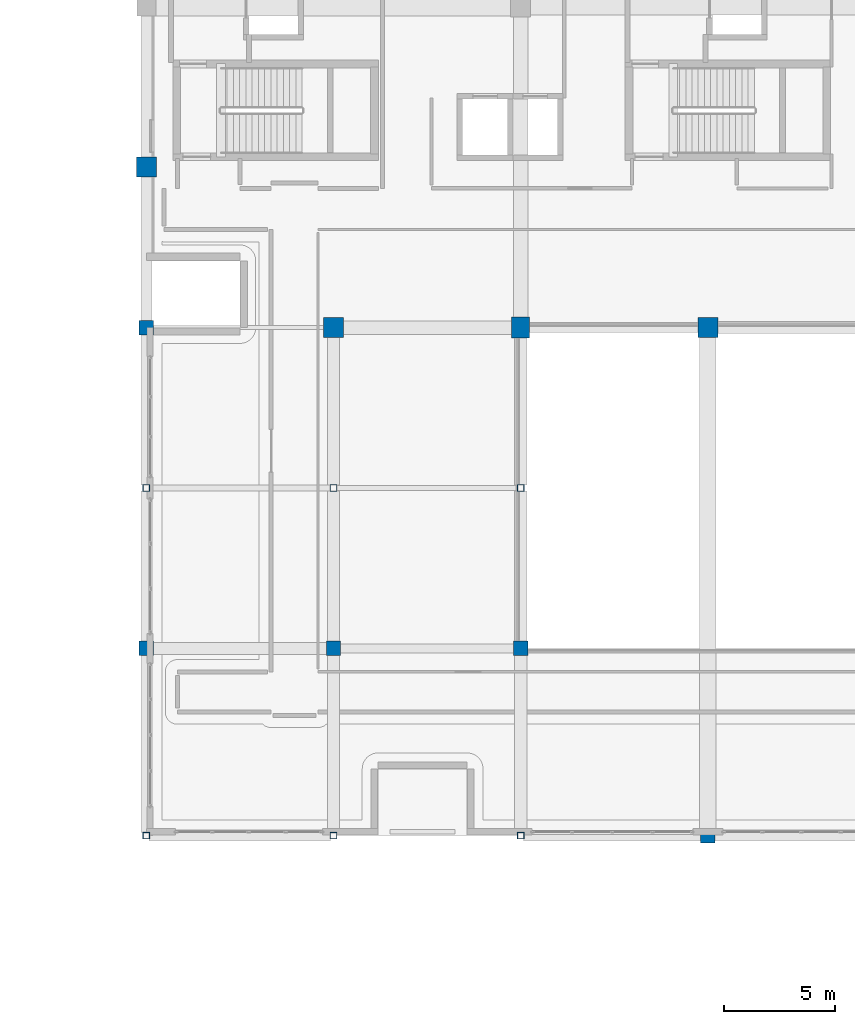
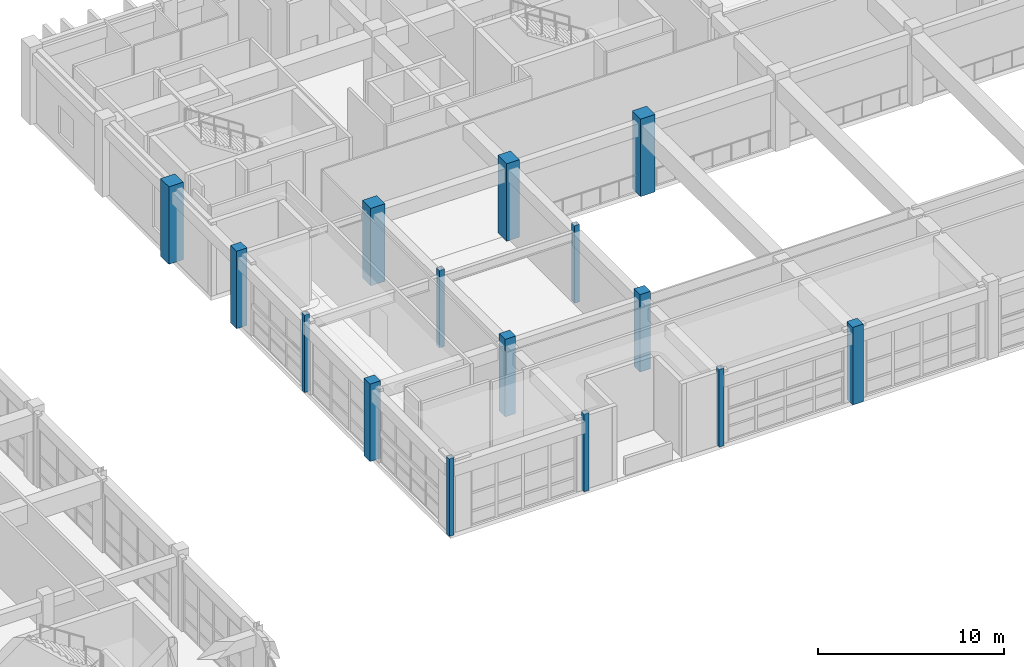
# One storey, part 6 of 78: 15 columns.
"""IFC4 building model written with IfcOpenShell, lengths in metres."""

import ifcopenshell
import ifcopenshell.guid

model = None  # the IFC model being written
_history = None  # IfcOwnerHistory: only IFC2X3 demands one
_inside = {}  # id of a spatial element -> (the spatial element, [elements in it])
_under = {}  # id of a project, library or spatial element -> (it, [spatial elements below it])
_declared = {}  # id of a project -> (the project, [libraries it declares])
_typed = {}  # id of a type object -> (the type object, [elements of that type])
_made_of = {}  # id of a material, layer set ... -> (it, [elements and type objects made of it])


def new_model(schema):
    """Start an empty IFC model of exactly this schema.

    Asked for "IFC4X3", IfcOpenShell would pick the latest addendum, in which some entities
    have other attributes; the version numbers below select the first issue.
    IFC2X3 requires an IfcOwnerHistory on every rooted entity: one is made here for all.
    """
    global model, _history
    if schema == "IFC4X3":
        model = ifcopenshell.file(schema_version=(4, 3, 0, 0))
    else:
        model = ifcopenshell.file(schema=schema)
    _inside.clear()
    _under.clear()
    _declared.clear()
    _typed.clear()
    _made_of.clear()
    _history = None
    if model.schema == "IFC2X3":
        org = make("IfcOrganization", Name="unknown")
        user = make(
            "IfcPersonAndOrganization",
            ThePerson=make("IfcPerson", FamilyName="unknown"),
            TheOrganization=org,
        )
        app = make(
            "IfcApplication",
            ApplicationDeveloper=org,
            Version="unknown",
            ApplicationFullName="unknown",
            ApplicationIdentifier="unknown",
        )
        _history = make(
            "IfcOwnerHistory",
            OwningUser=user,
            OwningApplication=app,
            ChangeAction="ADDED",
            CreationDate=0,
        )
    return model


def make(cls, **values):
    """One entity of the class cls with the attributes given. An attribute that is None is left unset."""
    return model.create_entity(
        cls, **{name: value for name, value in values.items() if value is not None}
    )


def rooted(cls, **values):
    """An entity with a GlobalId (a new one), such as an element, a storey or a relation."""
    return make(cls, GlobalId=ifcopenshell.guid.new(), OwnerHistory=_history, **values)


def si_unit(unit_type, name, prefix=None):
    """IfcSIUnit, for example si_unit("LENGTHUNIT", "METRE", prefix="MILLI")."""
    return make("IfcSIUnit", UnitType=unit_type, Prefix=prefix, Name=name)


def assignment(units):
    """IfcUnitAssignment: the units of a project."""
    return None if units is None else make("IfcUnitAssignment", Units=units)


def point(xyz):
    """IfcCartesianPoint."""
    return None if xyz is None else make("IfcCartesianPoint", Coordinates=xyz)


def direction(xyz):
    """IfcDirection."""
    return None if xyz is None else make("IfcDirection", DirectionRatios=xyz)


def frame(location, z_axis=None, x_axis=None):
    """IfcAxis2Placement3D, a coordinate frame: its origin and axes. An axis left out is left unset."""
    return make(
        "IfcAxis2Placement3D",
        Location=point(location),
        Axis=direction(z_axis),
        RefDirection=direction(x_axis),
    )


def frame_2d(location, x_axis=None):
    """IfcAxis2Placement2D, a coordinate frame in the plane: its origin and x axis."""
    return make(
        "IfcAxis2Placement2D", Location=point(location), RefDirection=direction(x_axis)
    )


def origin():
    """The frame at (0, 0, 0) with its axes left unset."""
    return frame((0.0, 0.0, 0.0))


def origin_2d():
    """The frame at (0, 0) in the plane with its x axis left unset."""
    return frame_2d((0.0, 0.0))


def place(relative_to, where):
    """IfcLocalPlacement: puts the frame where relative to a parent placement (None: the world)."""
    return make(
        "IfcLocalPlacement", PlacementRelTo=relative_to, RelativePlacement=where
    )


def context(
    kind, dimensions, precision=None, world=None, true_north=None, identifier=None
):
    """IfcGeometricRepresentationContext, for example the 3D "Model" context."""
    return make(
        "IfcGeometricRepresentationContext",
        ContextIdentifier=identifier,
        ContextType=kind,
        CoordinateSpaceDimension=dimensions,
        Precision=precision,
        WorldCoordinateSystem=world,
        TrueNorth=true_north,
    )


def subcontext(parent, identifier, kind, view, scale=None):
    """IfcGeometricRepresentationSubContext, for example "Body" below "Model"."""
    return make(
        "IfcGeometricRepresentationSubContext",
        ContextIdentifier=identifier,
        ContextType=kind,
        ParentContext=parent,
        TargetScale=scale,
        TargetView=view,
    )


def project(units=None, contexts=None):
    """IfcProject with its units and contexts."""
    return rooted(
        "IfcProject",
        Name="project",
        RepresentationContexts=contexts,
        UnitsInContext=assignment(units),
    )


def spatial(cls, under=None, at=None, **own):
    """A site, building, storey or space (cls), placed at a placement, below another one or the project."""
    s = rooted(cls, ObjectPlacement=at, **own)
    if under is not None:
        _under.setdefault(under.id(), (under, []))[1].append(s)
    return s


def profile(cls, at=None, kind="AREA", **sizes):
    """A parametric profile (cls). Its sizes go by their IFC names, for example OverallWidth=200.0."""
    return make(cls, ProfileType=kind, Position=at, **sizes)


def rectangle(**sizes):
    """IfcRectangleProfileDef."""
    return profile("IfcRectangleProfileDef", **sizes)


def hollow_rectangle(**sizes):
    """IfcRectangleHollowProfileDef."""
    return profile("IfcRectangleHollowProfileDef", **sizes)


def extrude(swept, where, along, depth):
    """IfcExtrudedAreaSolid: the profile swept, set in the frame where, extruded along a direction by depth."""
    return make(
        "IfcExtrudedAreaSolid",
        SweptArea=swept,
        Position=where,
        ExtrudedDirection=direction(along),
        Depth=depth,
    )


def shape(context_of_items, identifier, shape_type, items):
    """IfcShapeRepresentation: the items that make up one representation, for example the "Body"."""
    return make(
        "IfcShapeRepresentation",
        ContextOfItems=context_of_items,
        RepresentationIdentifier=identifier,
        RepresentationType=shape_type,
        Items=items,
    )


def material(Name=None, Category=None):
    """IfcMaterial."""
    return make("IfcMaterial", Name=Name, Category=Category)


def material_profile(
    of_material, cross_section, Name=None, Category=None, Priority=None
):
    """IfcMaterialProfile: a cross section and its material."""
    return make(
        "IfcMaterialProfile",
        Name=Name,
        Material=of_material,
        Profile=cross_section,
        Priority=Priority,
        Category=Category,
    )


def profile_set(profiles, Name=None, composite=None):
    """IfcMaterialProfileSet."""
    return make(
        "IfcMaterialProfileSet",
        Name=Name,
        MaterialProfiles=profiles,
        CompositeProfile=composite,
    )


def made_of(thing, what):
    """Note that an element or type object is made of a material, layer set ...; save() writes the relation."""
    if what is not None:
        _made_of.setdefault(what.id(), (what, []))[1].append(thing)
    return thing


def type_object(cls, material=None, **own):
    """A type object (cls), such as IfcWallType, which elements share."""
    return made_of(rooted(cls, **own), material)


def element(
    cls,
    number,
    at=None,
    inside=None,
    cuts=None,
    type_object=None,
    material=None,
    context=None,
    identifier="Body",
    shape_type=None,
    held_by="IfcProductDefinitionShape",
    body=None,
    shapes=None,
    **own,
):
    """One element of the class cls, such as IfcWall. Its Tag is "e" and its number.

    at: its placement. inside: the storey or other place that contains it. cuts: it is an
    opening in that element (IfcRelVoidsElement). A single representation is given by context,
    identifier, shape_type and body (its items); several are given by shapes. held_by: the class
    of the entity that holds the representations. save() writes the other relations.
    """
    e = rooted(cls, Tag="e%d" % number, ObjectPlacement=at, **own)
    if body is not None:
        shapes = [shape(context, identifier, shape_type, body)]
    if shapes is not None:
        e.Representation = make(held_by, Representations=shapes)
    if inside is not None:
        _inside.setdefault(inside.id(), (inside, []))[1].append(e)
    if cuts is not None:
        rooted(
            "IfcRelVoidsElement", RelatingBuildingElement=cuts, RelatedOpeningElement=e
        )
    if type_object is not None:
        _typed.setdefault(type_object.id(), (type_object, []))[1].append(e)
    return made_of(e, material)


def aggregate(whole, parts):
    """IfcRelAggregates: a whole, such as a stair, and the parts it consists of."""
    return rooted("IfcRelAggregates", RelatingObject=whole, RelatedObjects=parts)


def save(model, path):
    """Write the relations noted so far, then the file.

    IfcRelAggregates (storeys below a building ...), IfcRelContainedInSpatialStructure (elements
    in a storey), IfcRelDefinesByType, IfcRelAssociatesMaterial and IfcRelDeclares: one each for
    every whole, place, type object, material and project.
    """
    for whole, parts in _under.values():
        aggregate(whole, parts)
    for where, things in _inside.values():
        rooted(
            "IfcRelContainedInSpatialStructure",
            RelatedElements=things,
            RelatingStructure=where,
        )
    for kind, things in _typed.values():
        rooted("IfcRelDefinesByType", RelatedObjects=things, RelatingType=kind)
    for what, things in _made_of.values():
        rooted("IfcRelAssociatesMaterial", RelatedObjects=things, RelatingMaterial=what)
    for by, libraries in _declared.values():
        rooted("IfcRelDeclares", RelatingContext=by, RelatedDefinitions=libraries)
    model.write(path)


model = new_model("IFC4")

# Units and contexts
model_context = context("Model", 3, precision=1e-05, world=origin(), true_north=direction((0.0, 1.0)))
body_context = subcontext(model_context, "Body", "Model", "MODEL_VIEW")
ifc_project = project(units=[si_unit("LENGTHUNIT", "METRE"), si_unit("AREAUNIT", "SQUARE_METRE"), si_unit("VOLUMEUNIT", "CUBIC_METRE"), si_unit("PLANEANGLEUNIT", "RADIAN"), si_unit("MASSUNIT", "GRAM", prefix="KILO")], contexts=[model_context])

# Site, building, storey
site_placement = place(None, origin())
site = spatial("IfcSite", under=ifc_project, at=site_placement, CompositionType="ELEMENT")
building_placement = place(site_placement, origin())
building = spatial("IfcBuilding", under=site, at=building_placement, Name="Quendrovan Civic Courthouse", CompositionType="ELEMENT")
storey_placement = place(building_placement, frame((0.0, 0.0, 10.199951171875)))
storey = spatial("IfcBuildingStorey", under=building, at=storey_placement, Name="L03", CompositionType="ELEMENT", Elevation=10.199951171875)

# Columns
ifc_material_1 = material(Name="Concrete C45/55", Category="concrete")
ifc_material_profile_1 = material_profile(ifc_material_1, rectangle(XDim=0.800048828125, YDim=0.949951171875, at=origin_2d()), Name="RC-COL-800x950")
ifc_profile_set_1 = profile_set([ifc_material_profile_1], Name="Concrete C45/55")
column_type_1 = type_object("IfcColumnType", Name="COL-RC-800x950", PredefinedType="COLUMN", material=ifc_profile_set_1)
column_placement = place(storey_placement, frame((50.39990234375, 87.60009765625, 0.0), z_axis=(0.0, 0.0, 1.0), x_axis=(1.0, 0.0, 0.0)))
element("IfcColumn", 1, at=column_placement, inside=storey, type_object=column_type_1, Name="L03 Column 7-M", PredefinedType="COLUMN", context=body_context, shape_type="SweptSolid", body=[
    extrude(rectangle(XDim=0.800048828125, YDim=0.949951171875, at=origin_2d()), origin(), (0.0, 0.0, 1.0), 5.10009765625),
])
ifc_material_profile_2 = material_profile(ifc_material_1, rectangle(XDim=0.64990234375, YDim=0.64990234375, at=origin_2d()), Name="RC-COL-650x650")
ifc_profile_set_2 = profile_set([ifc_material_profile_2], Name="Concrete C45/55")
column_type_2 = type_object("IfcColumnType", Name="COL-RC650", PredefinedType="COLUMN", material=ifc_profile_set_2)
for number, where, z_axis, x_axis, name in (
    (2, (33.60009765625, 73.199951171875, 0.0), (0.0, 0.0, 1.0), (1.0, 0.0, 0.0), "L03 Column 5-K"),
    (3, (33.60009765625, 87.60009765625, 0.0), (0.0, 0.0, 1.0), (1.0, 0.0, 0.0), "L03 Column 5-M"),
    (4, (42.0, 73.199951171875, 0.0), (0.0, 0.0, 1.0), (1.0, 0.0, 0.0), "L03 Column 6-K"),
    (5, (50.39990234375, 73.199951171875, 0.0), (0.0, 0.0, 1.0), (1.0, 0.0, 0.0), "L03 Column 7-K"),
    (6, (58.800048828125, 64.800048828125, 0.0), (0.0, 0.0, 1.0), (1.0, 0.0, 0.0), "L03 Column 8-J"),
):
    element("IfcColumn", number, at=place(storey_placement, frame(where, z_axis=z_axis, x_axis=x_axis)), inside=storey, type_object=column_type_2, Name=name, PredefinedType="COLUMN", context=body_context, shape_type="SweptSolid", body=[
        extrude(rectangle(XDim=0.64990234375, YDim=0.64990234375, at=origin_2d()), origin(), (0.0, 0.0, 1.0), 5.10009765625),
    ])
ifc_material_profile_3 = material_profile(ifc_material_1, rectangle(XDim=0.89990234375, YDim=0.89990234375, at=origin_2d()), Name="RC-COL-900x900")
ifc_profile_set_3 = profile_set([ifc_material_profile_3], Name="Concrete C45/55")
column_type_3 = type_object("IfcColumnType", Name="COL-RC900", PredefinedType="COLUMN", material=ifc_profile_set_3)
for number, where, z_axis, x_axis, name in (
    (7, (33.60009765625, 94.800048828125, 0.0), (0.0, 0.0, 1.0), (1.0, 0.0, 0.0), "L03 Column 5-N"),
    (8, (42.0, 87.60009765625, 0.0), (0.0, 0.0, 1.0), (1.0, 0.0, 0.0), "L03 Column 6-M"),
    (9, (58.800048828125, 87.60009765625, 0.0), (0.0, 0.0, 1.0), (1.0, 0.0, 0.0), "L03 Column 8-M"),
):
    element("IfcColumn", number, at=place(storey_placement, frame(where, z_axis=z_axis, x_axis=x_axis)), inside=storey, type_object=column_type_3, Name=name, PredefinedType="COLUMN", context=body_context, shape_type="SweptSolid", body=[
        extrude(rectangle(XDim=0.89990234375, YDim=0.89990234375, at=origin_2d()), origin(), (0.0, 0.0, 1.0), 5.10009765625),
    ])
ifc_material_2 = material(Name="Steel ASTM A500 Grade C", Category="steel")
ifc_material_profile_4 = material_profile(ifc_material_2, hollow_rectangle(XDim=0.300048828125, YDim=0.300048828125, WallThickness=0.011962890625, at=origin_2d()), Name="HSS300x300x12")
ifc_profile_set_4 = profile_set([ifc_material_profile_4], Name="Steel ASTM A500 Grade C")
column_type_4 = type_object("IfcColumnType", Name="COL-STL-HSS300S", PredefinedType="COLUMN", material=ifc_profile_set_4)
for number, where, z_axis, x_axis, name in (
    (10, (33.60009765625, 64.800048828125, 0.0), (0.0, 0.0, 1.0), (1.0, 0.0, 0.0), "L03 Column 5-J"),
    (11, (33.60009765625, 80.39990234375, 0.0), (0.0, 0.0, 1.0), (1.0, 0.0, 0.0), "L03 Column 5-L"),
    (12, (42.0, 64.800048828125, 0.0), (0.0, 0.0, 1.0), (1.0, 0.0, 0.0), "L03 Column 6-J"),
    (13, (42.0, 80.39990234375, 0.0), (0.0, 0.0, 1.0), (1.0, 0.0, 0.0), "L03 Column 6-L"),
    (14, (50.39990234375, 64.800048828125, 0.0), (0.0, 0.0, 1.0), (1.0, 0.0, 0.0), "L03 Column 7-J"),
    (15, (50.39990234375, 80.39990234375, 0.0), (0.0, 0.0, 1.0), (1.0, 0.0, 0.0), "L03 Column 7-L"),
):
    element("IfcColumn", number, at=place(storey_placement, frame(where, z_axis=z_axis, x_axis=x_axis)), inside=storey, type_object=column_type_4, Name=name, PredefinedType="COLUMN", context=body_context, shape_type="SweptSolid", body=[
        extrude(hollow_rectangle(XDim=0.300048828125, YDim=0.300048828125, WallThickness=0.011962890625, at=origin_2d()), origin(), (0.0, 0.0, 1.0), 5.10009765625),
    ])

save(model, "model.ifc")
